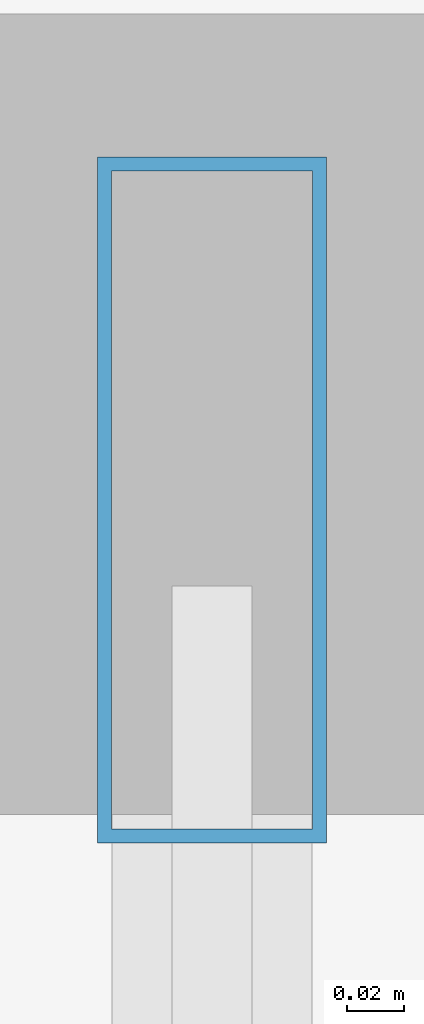
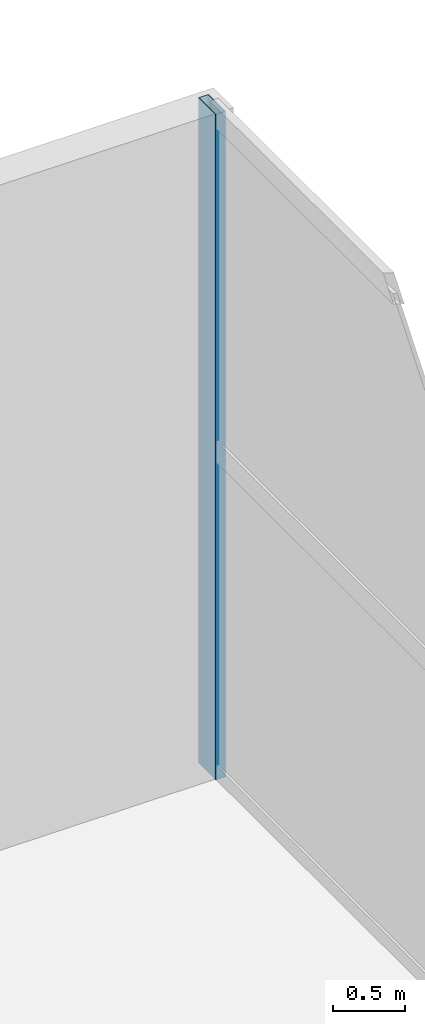
# One storey, part 10 of 20: 1 member, 1 element without a shape of its own.
"""IFC4 building model written with IfcOpenShell, lengths in metres."""

from ifc_helpers import new_model, si_unit, direction, frame, origin, origin_2d, place, context, subcontext, project, spatial, hollow_rectangle, extrude, material, layer, layer_set, material_profile, profile_set, type_object, element, aggregate, save


model = new_model("IFC4")

# Units and contexts
model_context = context("Model", 3, precision=1e-05, world=origin(), true_north=direction((0.0, 1.0)))
body_context = subcontext(model_context, "Body", "Model", "MODEL_VIEW")
ifc_project = project(units=[si_unit("LENGTHUNIT", "METRE"), si_unit("AREAUNIT", "SQUARE_METRE"), si_unit("VOLUMEUNIT", "CUBIC_METRE"), si_unit("PLANEANGLEUNIT", "RADIAN"), si_unit("MASSUNIT", "GRAM", prefix="KILO")], contexts=[model_context])

# Site, building, storey
site_placement = place(None, origin())
site = spatial("IfcSite", under=ifc_project, at=site_placement, CompositionType="ELEMENT")
building_placement = place(site_placement, origin())
building = spatial("IfcBuilding", under=site, at=building_placement, Name="Calvorn Quay Hotel", CompositionType="ELEMENT")
storey_placement = place(building_placement, origin())
storey = spatial("IfcBuildingStorey", under=building, at=storey_placement, Name="L00", CompositionType="ELEMENT", Elevation=0.0)

# Curtain wall, member
ifc_material_1 = material(Name="Pale Anodised Aluminium and Low-E Glass", Category="aluminium")
ifc_layer = layer(ifc_material_1, 0.219970703125)
ifc_layer_set = layer_set([ifc_layer], Name="CW-SYS-POD")
curtain_wall_type = type_object("IfcCurtainWallType", Name="CW-SYS-POD", PredefinedType="NOTDEFINED", material=ifc_layer_set)
curtain_wall_placement = place(storey_placement, origin())
curtain_wall = element("IfcCurtainWall", 1, at=curtain_wall_placement, inside=storey, type_object=curtain_wall_type, Name="L00 Waterfront Promenade Curtain Wall", PredefinedType="NOTDEFINED")
ifc_material_2 = material(Name="Pale Anodised Aluminium 6063-T6", Category="aluminium")
ifc_material_profile = material_profile(ifc_material_2, hollow_rectangle(XDim=0.080078125, YDim=0.239990234375, WallThickness=0.0048828125, at=origin_2d()), Name="ALU-M240x80x5")
ifc_profile_set = profile_set([ifc_material_profile], Name="Pale Anodised Aluminium 6063-T6")
member_type = type_object("IfcMemberType", Name="CW-SYS-POD-MUL", PredefinedType="MULLION", material=ifc_profile_set)
member_placement = place(storey_placement, frame((83.85009765625, 55.570068359375, 0.0), z_axis=(0.0, 0.0, 1.0), x_axis=(-1.0, 0.0, 0.0)))
member = element("IfcMember", 2, at=member_placement, type_object=member_type, Name="CW-L00-E1 mullion 6", PredefinedType="MULLION", context=body_context, shape_type="SweptSolid", body=[
    extrude(hollow_rectangle(XDim=0.080078125, YDim=0.239990234375, WallThickness=0.0048828125, at=origin_2d()), origin(), (0.0, 0.0, 1.0), 5.679931640625),
])
aggregate(curtain_wall, [member])

save(model, "model.ifc")
